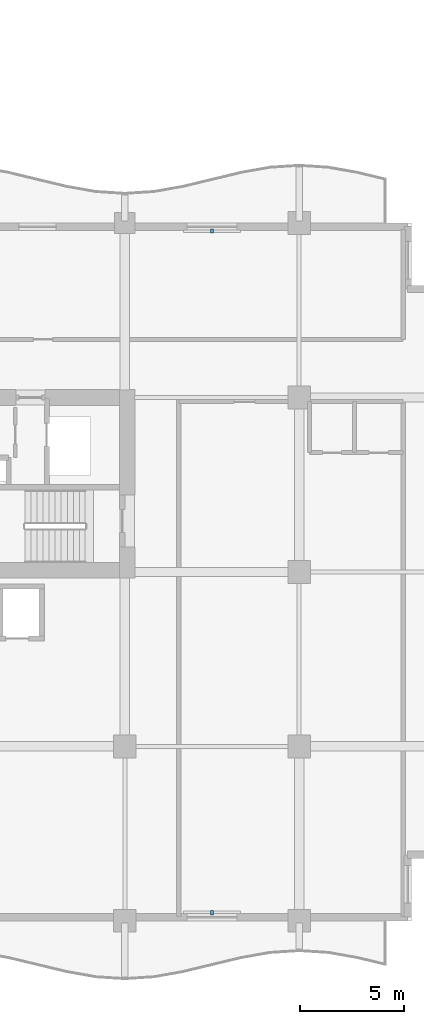
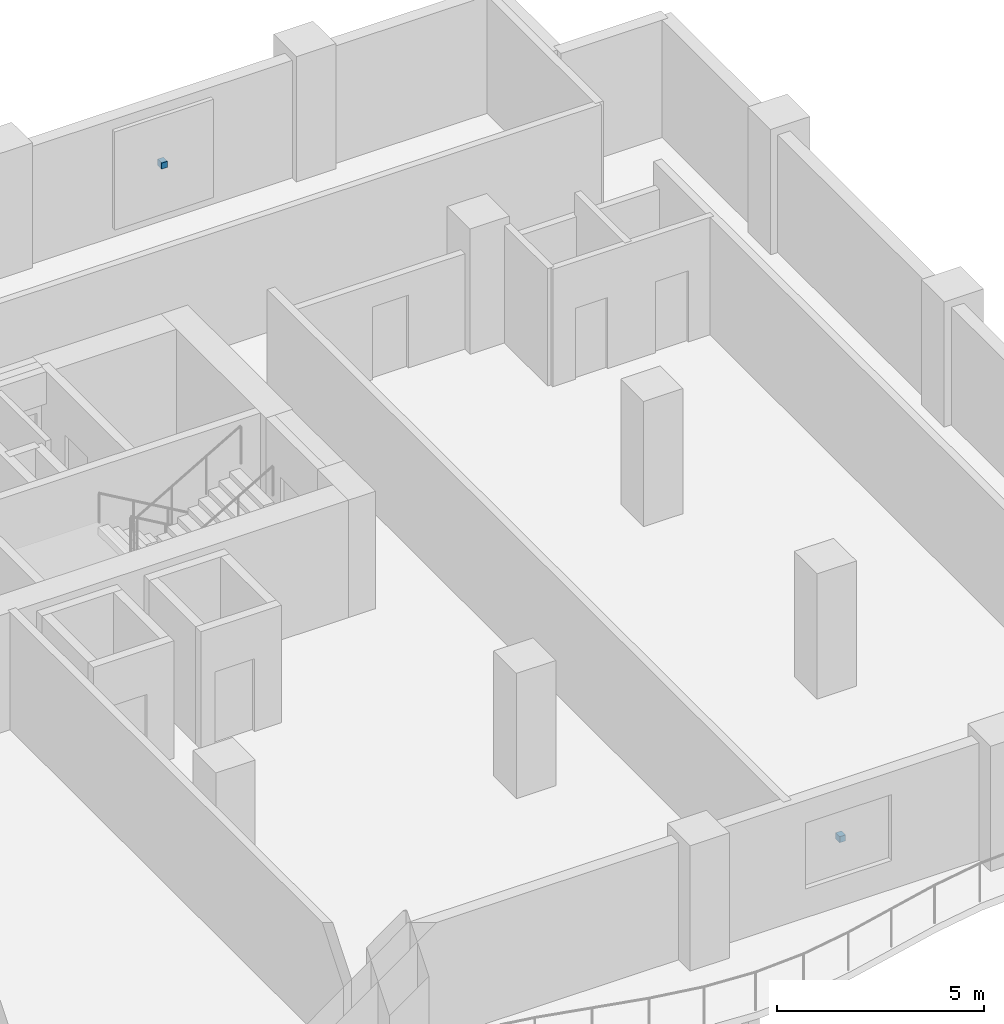
# One storey, part 15 of 20: 2 discrete accessories.
"""IFC4 building model written with IfcOpenShell, lengths in metres."""

from ifc_helpers import new_model, si_unit, direction, frame, origin, origin_2d, place, context, subcontext, project, spatial, rectangle, extrude, material, type_object, element, save


model = new_model("IFC4")

# Units and contexts
model_context = context("Model", 3, precision=1e-05, world=origin(), true_north=direction((0.0, 1.0)))
body_context = subcontext(model_context, "Body", "Model", "MODEL_VIEW")
ifc_project = project(units=[si_unit("LENGTHUNIT", "METRE"), si_unit("AREAUNIT", "SQUARE_METRE"), si_unit("VOLUMEUNIT", "CUBIC_METRE"), si_unit("PLANEANGLEUNIT", "RADIAN"), si_unit("MASSUNIT", "GRAM", prefix="KILO")], contexts=[model_context])

# Site, building, storey
site_placement = place(None, origin())
site = spatial("IfcSite", under=ifc_project, at=site_placement, CompositionType="ELEMENT")
building_placement = place(site_placement, origin())
building = spatial("IfcBuilding", under=site, at=building_placement, Name="Koriwani Terraces Tower", CompositionType="ELEMENT")
storey_placement = place(building_placement, frame((0.0, 0.0, 175.39990234375)))
storey = spatial("IfcBuildingStorey", under=building, at=storey_placement, Name="L42", CompositionType="ELEMENT", Elevation=175.39990234375)

# Discrete accessories
ifc_material = material(Name="Steel ASTM A572 Grade 50", Category="steel")
discrete_accessory_type = type_object("IfcDiscreteAccessoryType", Name="BAGUETTE_STANDOFF_BRACKET", PredefinedType="BRACKET", material=ifc_material)
for number, where, z_axis, x_axis, name in (
    (1, (63.0, 33.2099609375, 1.64501953125), (0.0, 0.0, 1.0), (1.0, 0.0, 0.0), "L42 Terracotta Baguette Bracket (NE-11)"),
    (2, (63.0, 0.389892578125, 1.64501953125), (0.0, 0.0, 1.0), (-1.0, 0.0, 0.0), "L42 Terracotta Baguette Bracket (S-21)"),
):
    element("IfcDiscreteAccessory", number, at=place(storey_placement, frame(where, z_axis=z_axis, x_axis=x_axis)), inside=storey, type_object=discrete_accessory_type, Name=name, PredefinedType="BRACKET", context=body_context, shape_type="SweptSolid", body=[
        extrude(rectangle(XDim=0.159912109375, YDim=0.199951171875, at=origin_2d()), origin(), (0.0, 0.0, 1.0), 0.179931640625),
    ])

save(model, "model.ifc")
